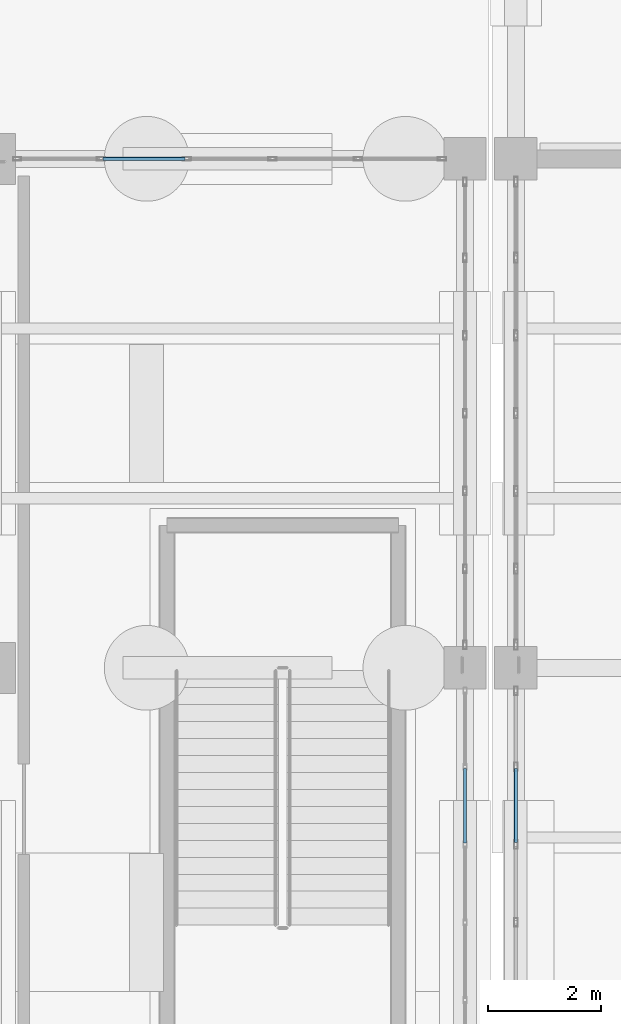
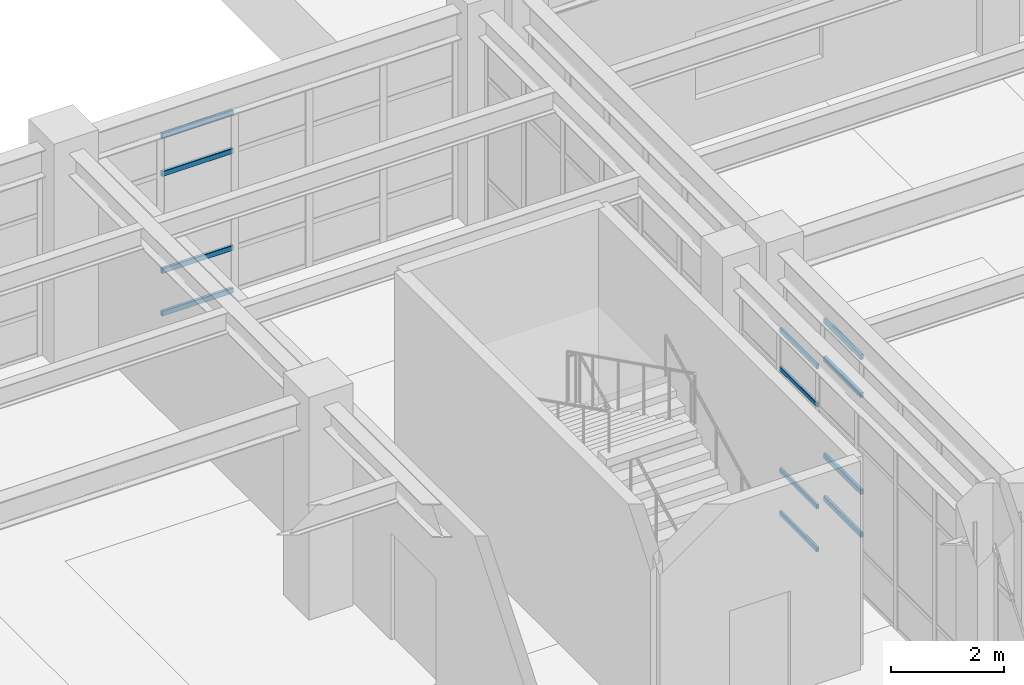
# One storey, part 78 of 139: 12 members, 3 elements without a shape of their own.
"""IFC4 building model written with IfcOpenShell, lengths in metres."""

from ifc_helpers import new_model, si_unit, direction, frame, origin, origin_2d, place, context, subcontext, project, spatial, hollow_rectangle, extrude, material, material_profile, profile_set, type_object, element, aggregate, save


model = new_model("IFC4")

# Units and contexts
model_context = context("Model", 3, precision=1e-05, world=origin(), true_north=direction((0.0, 1.0)))
body_context = subcontext(model_context, "Body", "Model", "MODEL_VIEW")
ifc_project = project(units=[si_unit("LENGTHUNIT", "METRE"), si_unit("AREAUNIT", "SQUARE_METRE"), si_unit("VOLUMEUNIT", "CUBIC_METRE"), si_unit("PLANEANGLEUNIT", "RADIAN"), si_unit("MASSUNIT", "GRAM", prefix="KILO")], contexts=[model_context])

# Site, building, storey
site_placement = place(None, origin())
site = spatial("IfcSite", under=ifc_project, at=site_placement, CompositionType="ELEMENT")
building_placement = place(site_placement, origin())
building = spatial("IfcBuilding", under=site, at=building_placement, Name="Canglan Escarpment Cableway Terminal", CompositionType="ELEMENT")
storey_placement = place(building_placement, frame((0.0, 0.0, 14.39990234375)))
storey = spatial("IfcBuildingStorey", under=building, at=storey_placement, Name="L03", CompositionType="ELEMENT", Elevation=14.39990234375)

# Curtain wall, members
ifc_material_1 = material(Name="Anodized bronze aluminium and Low-E double glazing", Category="aluminium")
curtain_wall_type_1 = type_object("IfcCurtainWallType", Name="CW-BAY-8250x4000", PredefinedType="NOTDEFINED", material=ifc_material_1)
curtain_wall_1_placement = place(storey_placement, origin())
curtain_wall_1 = element("IfcCurtainWall", 1, at=curtain_wall_1_placement, inside=storey, type_object=curtain_wall_type_1, Name="Classical bay-between-piers glazed curtain wall CW-48", PredefinedType="NOTDEFINED")
ifc_material_2 = material(Name="Thermally broken anodized aluminium 6063-T6", Category="aluminium")
ifc_material_profile_1 = material_profile(ifc_material_2, hollow_rectangle(XDim=0.054931640625, YDim=0.094970703125, WallThickness=0.0029296875, InnerFilletRadius=0.0029296875, OuterFilletRadius=0.006103515625, at=origin_2d()), Name="ALU-TRAN 55x95x3")
ifc_profile_set_1 = profile_set([ifc_material_profile_1], Name="Thermally broken anodized aluminium 6063-T6")
member_type_1 = type_object("IfcMemberType", Name="CWT-01", PredefinedType="USERDEFINED", material=ifc_profile_set_1)
member_1_placement = place(storey_placement, frame((136.699951171875, 102.905029296875, 0.027587890625), z_axis=(0.0, 1.0, 0.0), x_axis=(-1.0, 0.0, 0.0)))
member_1 = element("IfcMember", 2, at=member_1_placement, type_object=member_type_1, Name="CW-48 transom 5.1", ObjectType="TRANSOM", PredefinedType="USERDEFINED", context=body_context, shape_type="SweptSolid", body=[
    extrude(hollow_rectangle(XDim=0.054931640625, YDim=0.094970703125, WallThickness=0.0029296875, InnerFilletRadius=0.0029296875, OuterFilletRadius=0.006103515625, at=origin_2d()), origin(), (0.0, 0.0, 1.0), 1.31494140625),
])
member_2_placement = place(storey_placement, frame((136.699951171875, 102.905029296875, 0.9501953125), z_axis=(0.0, 1.0, 0.0), x_axis=(-1.0, 0.0, 0.0)))
member_2 = element("IfcMember", 3, at=member_2_placement, type_object=member_type_1, Name="CW-48 transom 5.2", ObjectType="TRANSOM", PredefinedType="USERDEFINED", context=body_context, shape_type="SweptSolid", body=[
    extrude(hollow_rectangle(XDim=0.054931640625, YDim=0.094970703125, WallThickness=0.0029296875, InnerFilletRadius=0.0029296875, OuterFilletRadius=0.006103515625, at=origin_2d()), origin(), (0.0, 0.0, 1.0), 1.31494140625),
])
member_3_placement = place(storey_placement, frame((136.699951171875, 102.905029296875, 3.147216796875), z_axis=(0.0, 1.0, 0.0), x_axis=(-1.0, 0.0, 0.0)))
member_3 = element("IfcMember", 4, at=member_3_placement, type_object=member_type_1, Name="CW-48 transom 5.3", ObjectType="TRANSOM", PredefinedType="USERDEFINED", context=body_context, shape_type="SweptSolid", body=[
    extrude(hollow_rectangle(XDim=0.054931640625, YDim=0.094970703125, WallThickness=0.0029296875, InnerFilletRadius=0.0029296875, OuterFilletRadius=0.006103515625, at=origin_2d()), origin(), (0.0, 0.0, 1.0), 1.31494140625),
])
member_4_placement = place(storey_placement, frame((136.699951171875, 102.905029296875, 3.969482421875), z_axis=(0.0, 1.0, 0.0), x_axis=(-1.0, 0.0, 0.0)))
member_4 = element("IfcMember", 5, at=member_4_placement, type_object=member_type_1, Name="CW-48 transom 5.4", ObjectType="TRANSOM", PredefinedType="USERDEFINED", context=body_context, shape_type="SweptSolid", body=[
    extrude(hollow_rectangle(XDim=0.054931640625, YDim=0.094970703125, WallThickness=0.0029296875, InnerFilletRadius=0.0029296875, OuterFilletRadius=0.006103515625, at=origin_2d()), origin(), (0.0, 0.0, 1.0), 1.31494140625),
])
aggregate(curtain_wall_1, [member_1, member_2, member_3, member_4])

curtain_wall_type_2 = type_object("IfcCurtainWallType", Name="CW-BAY-7575x3900", PredefinedType="NOTDEFINED", material=ifc_material_1)
curtain_wall_2_placement = place(storey_placement, origin())
curtain_wall_2 = element("IfcCurtainWall", 6, at=curtain_wall_2_placement, inside=storey, type_object=curtain_wall_type_2, Name="Classical bay-between-piers glazed curtain wall CW-49", PredefinedType="NOTDEFINED")
ifc_material_profile_2 = material_profile(ifc_material_2, hollow_rectangle(XDim=0.06005859375, YDim=0.110107421875, WallThickness=0.0029296875, InnerFilletRadius=0.0029296875, OuterFilletRadius=0.006103515625, at=origin_2d()), Name="ALU-TRAN 60x110x3")
ifc_profile_set_2 = profile_set([ifc_material_profile_2], Name="Thermally broken anodized aluminium 6063-T6")
member_type_2 = type_object("IfcMemberType", Name="CWT-02", PredefinedType="USERDEFINED", material=ifc_profile_set_2)
member_5_placement = place(storey_placement, frame((131.74755859375, 115.0, 0.030029296875), z_axis=(-1.0, 0.0, 0.0), x_axis=(0.0, -1.0, 0.0)))
member_5 = element("IfcMember", 7, at=member_5_placement, type_object=member_type_2, Name="CW-49 transom 4.1", ObjectType="TRANSOM", PredefinedType="USERDEFINED", context=body_context, shape_type="SweptSolid", body=[
    extrude(hollow_rectangle(XDim=0.06005859375, YDim=0.110107421875, WallThickness=0.0029296875, InnerFilletRadius=0.0029296875, OuterFilletRadius=0.006103515625, at=origin_2d()), origin(), (0.0, 0.0, 1.0), 1.449951171875),
])
member_6_placement = place(storey_placement, frame((131.74755859375, 115.0, 0.9501953125), z_axis=(-1.0, 0.0, 0.0), x_axis=(0.0, -1.0, 0.0)))
member_6 = element("IfcMember", 8, at=member_6_placement, type_object=member_type_2, Name="CW-49 transom 4.2", ObjectType="TRANSOM", PredefinedType="USERDEFINED", context=body_context, shape_type="SweptSolid", body=[
    extrude(hollow_rectangle(XDim=0.06005859375, YDim=0.110107421875, WallThickness=0.0029296875, InnerFilletRadius=0.0029296875, OuterFilletRadius=0.006103515625, at=origin_2d()), origin(), (0.0, 0.0, 1.0), 1.449951171875),
])
member_7_placement = place(storey_placement, frame((131.74755859375, 115.0, 3.041015625), z_axis=(-1.0, 0.0, 0.0), x_axis=(0.0, -1.0, 0.0)))
member_7 = element("IfcMember", 9, at=member_7_placement, type_object=member_type_2, Name="CW-49 transom 4.3", ObjectType="TRANSOM", PredefinedType="USERDEFINED", context=body_context, shape_type="SweptSolid", body=[
    extrude(hollow_rectangle(XDim=0.06005859375, YDim=0.110107421875, WallThickness=0.0029296875, InnerFilletRadius=0.0029296875, OuterFilletRadius=0.006103515625, at=origin_2d()), origin(), (0.0, 0.0, 1.0), 1.449951171875),
])
member_8_placement = place(storey_placement, frame((131.74755859375, 115.0, 3.861083984375), z_axis=(-1.0, 0.0, 0.0), x_axis=(0.0, -1.0, 0.0)))
member_8 = element("IfcMember", 10, at=member_8_placement, type_object=member_type_2, Name="CW-49 transom 4.4", ObjectType="TRANSOM", PredefinedType="USERDEFINED", context=body_context, shape_type="SweptSolid", body=[
    extrude(hollow_rectangle(XDim=0.06005859375, YDim=0.110107421875, WallThickness=0.0029296875, InnerFilletRadius=0.0029296875, OuterFilletRadius=0.006103515625, at=origin_2d()), origin(), (0.0, 0.0, 1.0), 1.449951171875),
])
aggregate(curtain_wall_2, [member_5, member_6, member_7, member_8])

curtain_wall_type_3 = type_object("IfcCurtainWallType", Name="CW-BAY-8250x3900", PredefinedType="NOTDEFINED", material=ifc_material_1)
curtain_wall_3_placement = place(storey_placement, origin())
curtain_wall_3 = element("IfcCurtainWall", 11, at=curtain_wall_3_placement, inside=storey, type_object=curtain_wall_type_3, Name="Classical bay-between-piers glazed curtain wall CW-62", PredefinedType="NOTDEFINED")
member_9_placement = place(storey_placement, frame((137.60009765625, 104.217529296875, 0.030029296875), z_axis=(0.0, -1.0, 0.0), x_axis=(1.0, 0.0, 0.0)))
member_9 = element("IfcMember", 12, at=member_9_placement, type_object=member_type_2, Name="CW-62 transom 2.1", ObjectType="TRANSOM", PredefinedType="USERDEFINED", context=body_context, shape_type="SweptSolid", body=[
    extrude(hollow_rectangle(XDim=0.06005859375, YDim=0.110107421875, WallThickness=0.0029296875, InnerFilletRadius=0.0029296875, OuterFilletRadius=0.006103515625, at=origin_2d()), origin(), (0.0, 0.0, 1.0), 1.31005859375),
])
member_10_placement = place(storey_placement, frame((137.60009765625, 104.217529296875, 0.9501953125), z_axis=(0.0, -1.0, 0.0), x_axis=(1.0, 0.0, 0.0)))
member_10 = element("IfcMember", 13, at=member_10_placement, type_object=member_type_2, Name="CW-62 transom 2.2", ObjectType="TRANSOM", PredefinedType="USERDEFINED", context=body_context, shape_type="SweptSolid", body=[
    extrude(hollow_rectangle(XDim=0.06005859375, YDim=0.110107421875, WallThickness=0.0029296875, InnerFilletRadius=0.0029296875, OuterFilletRadius=0.006103515625, at=origin_2d()), origin(), (0.0, 0.0, 1.0), 1.31005859375),
])
member_11_placement = place(storey_placement, frame((137.60009765625, 104.217529296875, 3.041015625), z_axis=(0.0, -1.0, 0.0), x_axis=(1.0, 0.0, 0.0)))
member_11 = element("IfcMember", 14, at=member_11_placement, type_object=member_type_2, Name="CW-62 transom 2.3", ObjectType="TRANSOM", PredefinedType="USERDEFINED", context=body_context, shape_type="SweptSolid", body=[
    extrude(hollow_rectangle(XDim=0.06005859375, YDim=0.110107421875, WallThickness=0.0029296875, InnerFilletRadius=0.0029296875, OuterFilletRadius=0.006103515625, at=origin_2d()), origin(), (0.0, 0.0, 1.0), 1.31005859375),
])
member_12_placement = place(storey_placement, frame((137.60009765625, 104.217529296875, 3.861083984375), z_axis=(0.0, -1.0, 0.0), x_axis=(1.0, 0.0, 0.0)))
member_12 = element("IfcMember", 15, at=member_12_placement, type_object=member_type_2, Name="CW-62 transom 2.4", ObjectType="TRANSOM", PredefinedType="USERDEFINED", context=body_context, shape_type="SweptSolid", body=[
    extrude(hollow_rectangle(XDim=0.06005859375, YDim=0.110107421875, WallThickness=0.0029296875, InnerFilletRadius=0.0029296875, OuterFilletRadius=0.006103515625, at=origin_2d()), origin(), (0.0, 0.0, 1.0), 1.31005859375),
])
aggregate(curtain_wall_3, [member_9, member_10, member_11, member_12])

save(model, "model.ifc")
